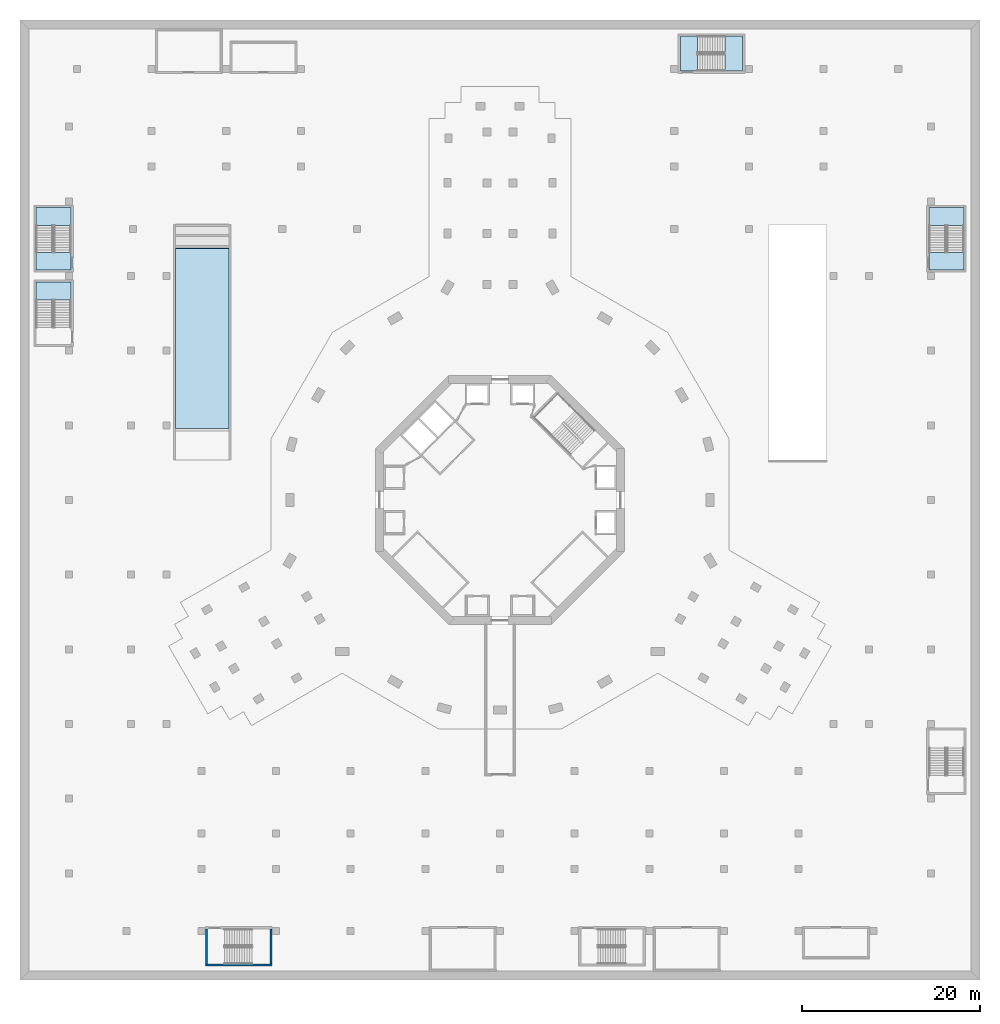
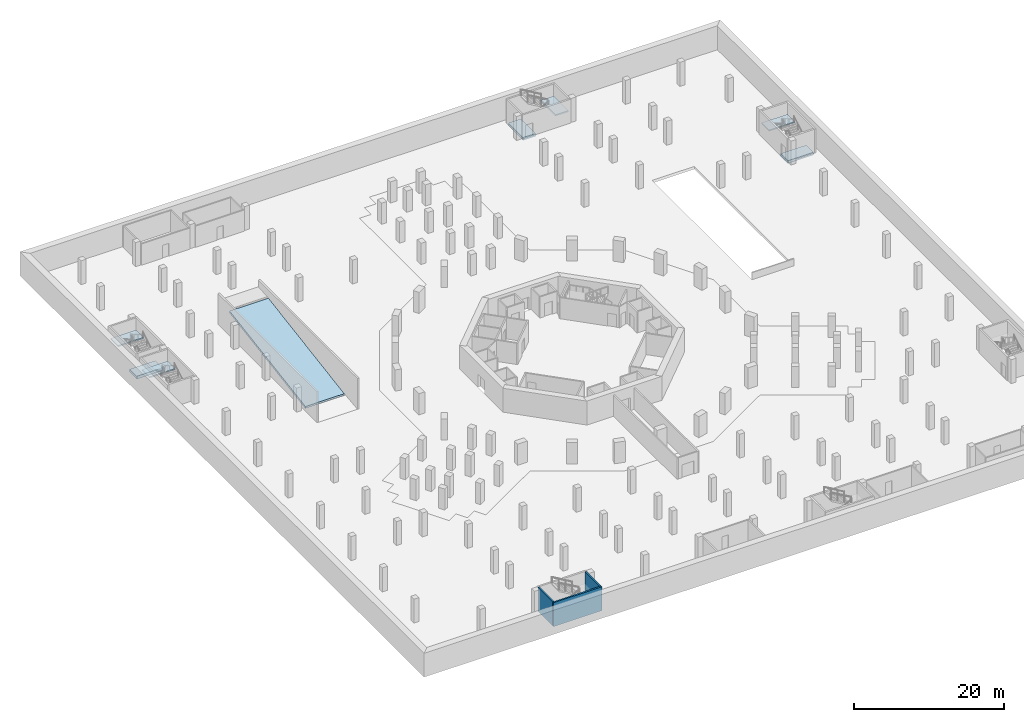
# One storey, part 2 of 25: 8 slabs, 3 walls, 5 elements without a shape of their own.
"""IFC4 building model written with IfcOpenShell, lengths in metres."""

import ifcopenshell
import ifcopenshell.guid

model = None  # the IFC model being written
_history = None  # IfcOwnerHistory: only IFC2X3 demands one
_inside = {}  # id of a spatial element -> (the spatial element, [elements in it])
_under = {}  # id of a project, library or spatial element -> (it, [spatial elements below it])
_declared = {}  # id of a project -> (the project, [libraries it declares])
_typed = {}  # id of a type object -> (the type object, [elements of that type])
_made_of = {}  # id of a material, layer set ... -> (it, [elements and type objects made of it])


def new_model(schema):
    """Start an empty IFC model of exactly this schema.

    Asked for "IFC4X3", IfcOpenShell would pick the latest addendum, in which some entities
    have other attributes; the version numbers below select the first issue.
    IFC2X3 requires an IfcOwnerHistory on every rooted entity: one is made here for all.
    """
    global model, _history
    if schema == "IFC4X3":
        model = ifcopenshell.file(schema_version=(4, 3, 0, 0))
    else:
        model = ifcopenshell.file(schema=schema)
    _inside.clear()
    _under.clear()
    _declared.clear()
    _typed.clear()
    _made_of.clear()
    _history = None
    if model.schema == "IFC2X3":
        org = make("IfcOrganization", Name="unknown")
        user = make(
            "IfcPersonAndOrganization",
            ThePerson=make("IfcPerson", FamilyName="unknown"),
            TheOrganization=org,
        )
        app = make(
            "IfcApplication",
            ApplicationDeveloper=org,
            Version="unknown",
            ApplicationFullName="unknown",
            ApplicationIdentifier="unknown",
        )
        _history = make(
            "IfcOwnerHistory",
            OwningUser=user,
            OwningApplication=app,
            ChangeAction="ADDED",
            CreationDate=0,
        )
    return model


def make(cls, **values):
    """One entity of the class cls with the attributes given. An attribute that is None is left unset."""
    return model.create_entity(
        cls, **{name: value for name, value in values.items() if value is not None}
    )


def rooted(cls, **values):
    """An entity with a GlobalId (a new one), such as an element, a storey or a relation."""
    return make(cls, GlobalId=ifcopenshell.guid.new(), OwnerHistory=_history, **values)


def si_unit(unit_type, name, prefix=None):
    """IfcSIUnit, for example si_unit("LENGTHUNIT", "METRE", prefix="MILLI")."""
    return make("IfcSIUnit", UnitType=unit_type, Prefix=prefix, Name=name)


def assignment(units):
    """IfcUnitAssignment: the units of a project."""
    return None if units is None else make("IfcUnitAssignment", Units=units)


def point(xyz):
    """IfcCartesianPoint."""
    return None if xyz is None else make("IfcCartesianPoint", Coordinates=xyz)


def direction(xyz):
    """IfcDirection."""
    return None if xyz is None else make("IfcDirection", DirectionRatios=xyz)


def frame(location, z_axis=None, x_axis=None):
    """IfcAxis2Placement3D, a coordinate frame: its origin and axes. An axis left out is left unset."""
    return make(
        "IfcAxis2Placement3D",
        Location=point(location),
        Axis=direction(z_axis),
        RefDirection=direction(x_axis),
    )


def frame_2d(location, x_axis=None):
    """IfcAxis2Placement2D, a coordinate frame in the plane: its origin and x axis."""
    return make(
        "IfcAxis2Placement2D", Location=point(location), RefDirection=direction(x_axis)
    )


def origin():
    """The frame at (0, 0, 0) with its axes left unset."""
    return frame((0.0, 0.0, 0.0))


def place(relative_to, where):
    """IfcLocalPlacement: puts the frame where relative to a parent placement (None: the world)."""
    return make(
        "IfcLocalPlacement", PlacementRelTo=relative_to, RelativePlacement=where
    )


def context(
    kind, dimensions, precision=None, world=None, true_north=None, identifier=None
):
    """IfcGeometricRepresentationContext, for example the 3D "Model" context."""
    return make(
        "IfcGeometricRepresentationContext",
        ContextIdentifier=identifier,
        ContextType=kind,
        CoordinateSpaceDimension=dimensions,
        Precision=precision,
        WorldCoordinateSystem=world,
        TrueNorth=true_north,
    )


def subcontext(parent, identifier, kind, view, scale=None):
    """IfcGeometricRepresentationSubContext, for example "Body" below "Model"."""
    return make(
        "IfcGeometricRepresentationSubContext",
        ContextIdentifier=identifier,
        ContextType=kind,
        ParentContext=parent,
        TargetScale=scale,
        TargetView=view,
    )


def project(units=None, contexts=None):
    """IfcProject with its units and contexts."""
    return rooted(
        "IfcProject",
        Name="project",
        RepresentationContexts=contexts,
        UnitsInContext=assignment(units),
    )


def spatial(cls, under=None, at=None, **own):
    """A site, building, storey or space (cls), placed at a placement, below another one or the project."""
    s = rooted(cls, ObjectPlacement=at, **own)
    if under is not None:
        _under.setdefault(under.id(), (under, []))[1].append(s)
    return s


def polyline(points):
    """IfcPolyline through the points."""
    return make("IfcPolyline", Points=[point(p) for p in points])


def profile(cls, at=None, kind="AREA", **sizes):
    """A parametric profile (cls). Its sizes go by their IFC names, for example OverallWidth=200.0."""
    return make(cls, ProfileType=kind, Position=at, **sizes)


def rectangle(**sizes):
    """IfcRectangleProfileDef."""
    return profile("IfcRectangleProfileDef", **sizes)


def outline(outer, holes=None, kind="AREA"):
    """IfcArbitraryClosedProfileDef: a profile drawn as a closed curve; with holes, ...WithVoids."""
    if holes is None:
        return make("IfcArbitraryClosedProfileDef", ProfileType=kind, OuterCurve=outer)
    return make(
        "IfcArbitraryProfileDefWithVoids",
        ProfileType=kind,
        OuterCurve=outer,
        InnerCurves=holes,
    )


def extrude(swept, where, along, depth):
    """IfcExtrudedAreaSolid: the profile swept, set in the frame where, extruded along a direction by depth."""
    return make(
        "IfcExtrudedAreaSolid",
        SweptArea=swept,
        Position=where,
        ExtrudedDirection=direction(along),
        Depth=depth,
    )


def shape(context_of_items, identifier, shape_type, items):
    """IfcShapeRepresentation: the items that make up one representation, for example the "Body"."""
    return make(
        "IfcShapeRepresentation",
        ContextOfItems=context_of_items,
        RepresentationIdentifier=identifier,
        RepresentationType=shape_type,
        Items=items,
    )


def material(Name=None, Category=None):
    """IfcMaterial."""
    return make("IfcMaterial", Name=Name, Category=Category)


def layer(
    of_material, thickness, ventilated=None, Name=None, Category=None, Priority=None
):
    """IfcMaterialLayer: one layer of a wall or slab, of a material (None: an air gap)."""
    return make(
        "IfcMaterialLayer",
        Material=of_material,
        LayerThickness=thickness,
        IsVentilated=ventilated,
        Name=Name,
        Category=Category,
        Priority=Priority,
    )


def layer_set(layers, Name=None):
    """IfcMaterialLayerSet."""
    return make("IfcMaterialLayerSet", MaterialLayers=layers, LayerSetName=Name)


def made_of(thing, what):
    """Note that an element or type object is made of a material, layer set ...; save() writes the relation."""
    if what is not None:
        _made_of.setdefault(what.id(), (what, []))[1].append(thing)
    return thing


def type_object(cls, material=None, **own):
    """A type object (cls), such as IfcWallType, which elements share."""
    return made_of(rooted(cls, **own), material)


def element(
    cls,
    number,
    at=None,
    inside=None,
    cuts=None,
    type_object=None,
    material=None,
    context=None,
    identifier="Body",
    shape_type=None,
    held_by="IfcProductDefinitionShape",
    body=None,
    shapes=None,
    **own,
):
    """One element of the class cls, such as IfcWall. Its Tag is "e" and its number.

    at: its placement. inside: the storey or other place that contains it. cuts: it is an
    opening in that element (IfcRelVoidsElement). A single representation is given by context,
    identifier, shape_type and body (its items); several are given by shapes. held_by: the class
    of the entity that holds the representations. save() writes the other relations.
    """
    e = rooted(cls, Tag="e%d" % number, ObjectPlacement=at, **own)
    if body is not None:
        shapes = [shape(context, identifier, shape_type, body)]
    if shapes is not None:
        e.Representation = make(held_by, Representations=shapes)
    if inside is not None:
        _inside.setdefault(inside.id(), (inside, []))[1].append(e)
    if cuts is not None:
        rooted(
            "IfcRelVoidsElement", RelatingBuildingElement=cuts, RelatedOpeningElement=e
        )
    if type_object is not None:
        _typed.setdefault(type_object.id(), (type_object, []))[1].append(e)
    return made_of(e, material)


def aggregate(whole, parts):
    """IfcRelAggregates: a whole, such as a stair, and the parts it consists of."""
    return rooted("IfcRelAggregates", RelatingObject=whole, RelatedObjects=parts)


def save(model, path):
    """Write the relations noted so far, then the file.

    IfcRelAggregates (storeys below a building ...), IfcRelContainedInSpatialStructure (elements
    in a storey), IfcRelDefinesByType, IfcRelAssociatesMaterial and IfcRelDeclares: one each for
    every whole, place, type object, material and project.
    """
    for whole, parts in _under.values():
        aggregate(whole, parts)
    for where, things in _inside.values():
        rooted(
            "IfcRelContainedInSpatialStructure",
            RelatedElements=things,
            RelatingStructure=where,
        )
    for kind, things in _typed.values():
        rooted("IfcRelDefinesByType", RelatedObjects=things, RelatingType=kind)
    for what, things in _made_of.values():
        rooted("IfcRelAssociatesMaterial", RelatedObjects=things, RelatingMaterial=what)
    for by, libraries in _declared.values():
        rooted("IfcRelDeclares", RelatingContext=by, RelatedDefinitions=libraries)
    model.write(path)


model = new_model("IFC4")

# Units and contexts
model_context = context("Model", 3, precision=1e-05, world=origin(), true_north=direction((0.0, 1.0)))
body_context = subcontext(model_context, "Body", "Model", "MODEL_VIEW")
ifc_project = project(units=[si_unit("LENGTHUNIT", "METRE"), si_unit("AREAUNIT", "SQUARE_METRE"), si_unit("VOLUMEUNIT", "CUBIC_METRE"), si_unit("PLANEANGLEUNIT", "RADIAN"), si_unit("MASSUNIT", "GRAM", prefix="KILO")], contexts=[model_context])

# Site, building, storey
site_placement = place(None, origin())
site = spatial("IfcSite", under=ifc_project, at=site_placement, CompositionType="ELEMENT")
building_placement = place(site_placement, origin())
building = spatial("IfcBuilding", under=site, at=building_placement, Name="Verdalira Terraces Hotel", CompositionType="ELEMENT")
storey_placement = place(building_placement, frame((0.0, 0.0, -7.800049)))
storey = spatial("IfcBuildingStorey", under=building, at=storey_placement, Name="B2", CompositionType="ELEMENT", Elevation=-7.800048828125)

# Ramp, slab
ifc_material_1 = material(Name="Concrete C40", Category="concrete")
ifc_layer_1 = layer(ifc_material_1, 0.35009765625)
ifc_layer_set_1 = layer_set([ifc_layer_1], Name="Ramp 350 C40")
ramp_type = type_object("IfcRampType", Name="Ramp 350 C40", PredefinedType="STRAIGHT_RUN_RAMP", material=ifc_layer_set_1)
ramp_placement = place(storey_placement, origin())
ramp = element("IfcRamp", 1, at=ramp_placement, inside=storey, type_object=ramp_type, Name="Ramp from B1 to B2", PredefinedType="STRAIGHT_RUN_RAMP")
ifc_material_2 = material(Name="Concrete C40", Category="concrete")
ifc_layer_2 = layer(ifc_material_2, 0.35009765625)
ifc_layer_set_2 = layer_set([ifc_layer_2], Name="Car park ramp slab 350 C40")
slab_type_1 = type_object("IfcSlabType", Name="Car park ramp slab 350 C40", PredefinedType="FLOOR", material=ifc_layer_set_2)
slab_1_placement = place(storey_placement, frame((-36.5, 28.318848, 3.695557), z_axis=(0.0, -0.160587325, 0.987021637), x_axis=(1.0, 0.0, 0.0)))
slab_1 = element("IfcSlab", 2, at=slab_1_placement, type_object=slab_type_1, Name="Ramp from B1 to B2 vehicle ramp slab 2", PredefinedType="FLOOR", context=body_context, shape_type="SweptSolid", body=[
    extrude(outline(polyline([(0.0, 0.0), (6.0, 0.0), (6.0, -20.551391), (0.0, -20.551391), (0.0, 0.0)])), origin(), (0.0, 0.0, -1.0), 0.350098),
])
aggregate(ramp, [slab_1])

# Stair, slab
ifc_material_3 = material(Name="Concrete C40", Category="concrete")
stair_type = type_object("IfcStairType", Name="Car park stair 24 risers", PredefinedType="HALF_TURN_STAIR", material=ifc_material_3)
stair_1_placement = place(storey_placement, origin())
stair_1 = element("IfcStair", 3, at=stair_1_placement, inside=storey, type_object=stair_type, Name="B2 Exit stair Basement stair 3", PredefinedType="HALF_TURN_STAIR")
ifc_material_4 = material(Name="Concrete C40", Category="concrete")
ifc_layer_3 = layer(ifc_material_4, 0.199951171875)
ifc_layer_set_3 = layer_set([ifc_layer_3], Name="Car park stair landing 200 mm")
slab_type_2 = type_object("IfcSlabType", Name="Car park stair landing 200 mm", PredefinedType="LANDING", material=ifc_layer_set_3)
slab_2_placement = place(storey_placement, frame((0.0, 0.0, 1.75)))
slab_2 = element("IfcSlab", 4, at=slab_2_placement, type_object=slab_type_2, Name="Basement stair 3 landing 1", PredefinedType="LANDING", context=body_context, shape_type="SweptSolid", body=[
    extrude(outline(polyline([(25.304443, 48.25), (27.300049, 48.25), (27.300049, 52.199951), (25.304443, 52.199951), (25.304443, 48.25)])), origin(), (0.0, 0.0, 1.0), 0.199951),
])
aggregate(stair_1, [slab_2])

stair_2_placement = place(storey_placement, origin())
stair_2 = element("IfcStair", 5, at=stair_2_placement, inside=storey, type_object=stair_type, Name="B2 Exit stair Basement stair 4", PredefinedType="HALF_TURN_STAIR")
slab_3_placement = place(storey_placement, frame((0.0, 0.0, 1.75)))
slab_3 = element("IfcSlab", 6, at=slab_3_placement, type_object=slab_type_2, Name="Basement stair 4 landing 1", PredefinedType="LANDING", context=body_context, shape_type="SweptSolid", body=[
    extrude(outline(polyline([(-48.25, 30.904541), (-48.25, 32.899902), (-52.199951, 32.899902), (-52.199951, 30.904541), (-48.25, 30.904541)])), origin(), (0.0, 0.0, 1.0), 0.199951),
])
aggregate(stair_2, [slab_3])

stair_3_placement = place(storey_placement, origin())
stair_3 = element("IfcStair", 7, at=stair_3_placement, inside=storey, type_object=stair_type, Name="B2 Exit stair Basement stair 5", PredefinedType="HALF_TURN_STAIR")
slab_4_placement = place(storey_placement, frame((0.0, 0.0, 1.75)))
slab_4 = element("IfcSlab", 8, at=slab_4_placement, type_object=slab_type_2, Name="Basement stair 5 landing 1", PredefinedType="LANDING", context=body_context, shape_type="SweptSolid", body=[
    extrude(outline(polyline([(52.199951, 30.904541), (52.199951, 32.899902), (48.25, 32.899902), (48.25, 30.904541), (52.199951, 30.904541)])), origin(), (0.0, 0.0, 1.0), 0.199951),
])
aggregate(stair_3, [slab_4])

stair_4_placement = place(storey_placement, origin())
stair_4 = element("IfcStair", 9, at=stair_4_placement, inside=storey, type_object=stair_type, Name="B2 Exit stair Basement stair 7", PredefinedType="HALF_TURN_STAIR")
slab_5_placement = place(storey_placement, frame((0.0, 0.0, 1.75)))
slab_5 = element("IfcSlab", 10, at=slab_5_placement, type_object=slab_type_2, Name="Basement stair 7 landing 1", PredefinedType="LANDING", context=body_context, shape_type="SweptSolid", body=[
    extrude(outline(polyline([(-48.25, 22.504395), (-48.25, 24.5), (-52.199951, 24.5), (-52.199951, 22.504395), (-48.25, 22.504395)])), origin(), (0.0, 0.0, 1.0), 0.199951),
])
aggregate(stair_4, [slab_5])

# Slabs
ifc_material_5 = material(Name="Concrete C40", Category="concrete")
ifc_layer_4 = layer(ifc_material_5, 0.449951171875)
ifc_layer_set_4 = layer_set([ifc_layer_4], Name="Stair enclosure floor slab 450 C40")
slab_type_3 = type_object("IfcSlabType", Name="Stair enclosure floor slab 450 C40", PredefinedType="FLOOR", material=ifc_layer_set_4)
slab_6_placement = place(storey_placement, frame((0.0, 0.0, -0.449951)))
element("IfcSlab", 11, at=slab_6_placement, inside=storey, type_object=slab_type_3, Name="Stair BS3 floor slab", PredefinedType="FLOOR", context=body_context, shape_type="SweptSolid", body=[
    extrude(outline(polyline([(20.300049, 52.199951), (22.225098, 52.199951), (22.225098, 48.25), (20.300049, 48.25), (20.300049, 52.199951)])), origin(), (0.0, 0.0, 1.0), 0.449951),
])
slab_7_placement = place(storey_placement, frame((0.0, 0.0, -0.449951)))
element("IfcSlab", 12, at=slab_7_placement, inside=storey, type_object=slab_type_3, Name="Stair BS4 floor slab", PredefinedType="FLOOR", context=body_context, shape_type="SweptSolid", body=[
    extrude(outline(polyline([(-52.199951, 27.824951), (-48.25, 27.824951), (-48.25, 25.899902), (-52.199951, 25.899902), (-52.199951, 27.824951)])), origin(), (0.0, 0.0, 1.0), 0.449951),
])
slab_8_placement = place(storey_placement, frame((0.0, 0.0, -0.449951)))
element("IfcSlab", 13, at=slab_8_placement, inside=storey, type_object=slab_type_3, Name="Stair BS5 floor slab", PredefinedType="FLOOR", context=body_context, shape_type="SweptSolid", body=[
    extrude(outline(polyline([(48.25, 27.824951), (52.199951, 27.824951), (52.199951, 25.899902), (48.25, 25.899902), (48.25, 27.824951)])), origin(), (0.0, 0.0, 1.0), 0.449951),
])

# Walls
ifc_material_6 = material(Name="Concrete C40", Category="concrete")
ifc_layer_5 = layer(ifc_material_6, 0.25)
ifc_layer_set_5 = layer_set([ifc_layer_5], Name="Stair enclosure wall 250 C40")
wall_type = type_object("IfcWallType", Name="Stair enclosure wall 250 C40", PredefinedType="SOLIDWALL", material=ifc_layer_set_5)
wall_placement = place(storey_placement, frame((-33.149902, -52.324951, 0.0), z_axis=(0.0, 0.0, 1.0), x_axis=(1.0, 0.0, 0.0)))
element("IfcWall", 14, at=wall_placement, inside=storey, type_object=wall_type, Name="Stair BS1 enclosure wall", PredefinedType="SOLIDWALL", context=body_context, shape_type="SweptSolid", body=[
    extrude(rectangle(XDim=7.5, YDim=0.25, at=frame_2d((3.75, 0.0))), origin(), (0.0, 0.0, 1.0), 3.900146),
])
for number, where, z_axis, x_axis, name in (
    (15, (-33.024902, -52.199951, 0.0), (0.0, 0.0, 1.0), (0.0, 1.0, 0.0), "Stair BS1 enclosure wall"),
    (16, (-25.774902, -52.199951, 0.0), (0.0, 0.0, 1.0), (0.0, 1.0, 0.0), "Stair BS1 enclosure wall"),
):
    element("IfcWall", number, at=place(storey_placement, frame(where, z_axis=z_axis, x_axis=x_axis)), inside=storey, type_object=wall_type, Name=name, PredefinedType="SOLIDWALL", context=body_context, shape_type="SweptSolid", body=[
        extrude(rectangle(XDim=3.949951, YDim=0.25, at=frame_2d((1.975098, 0.0))), origin(), (0.0, 0.0, 1.0), 3.900146),
    ])

save(model, "model.ifc")
